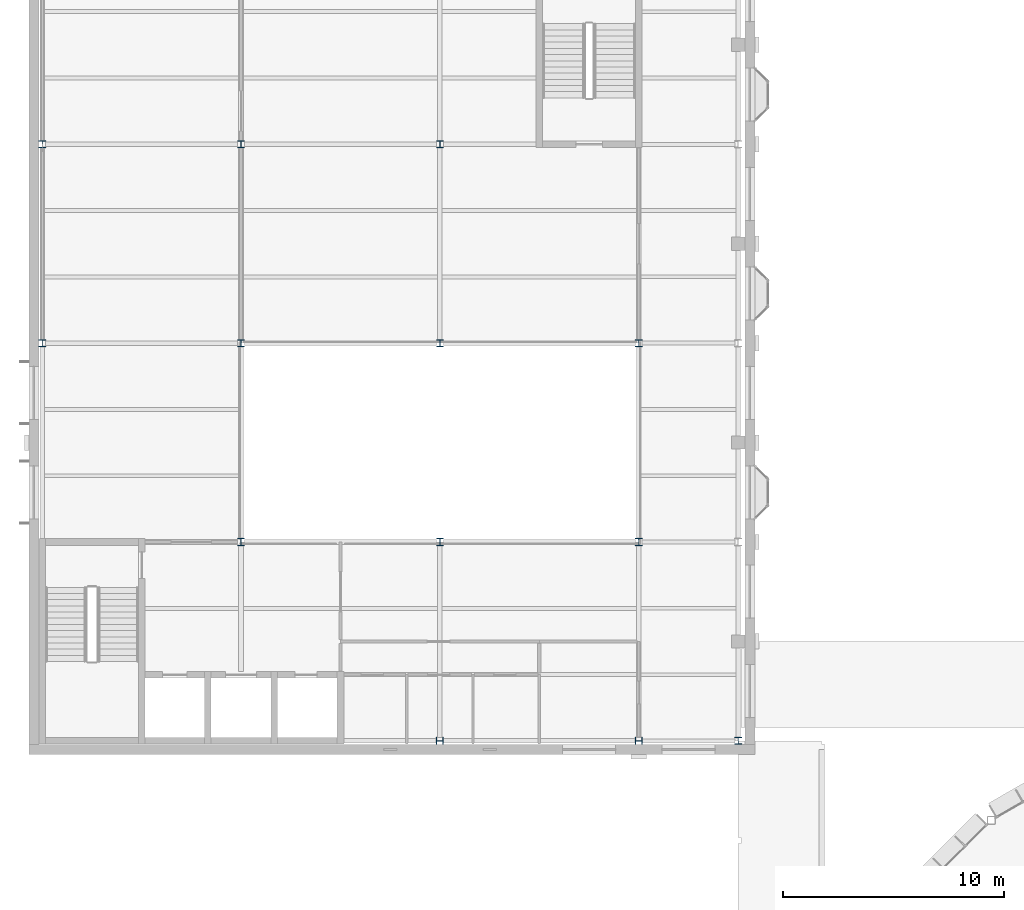
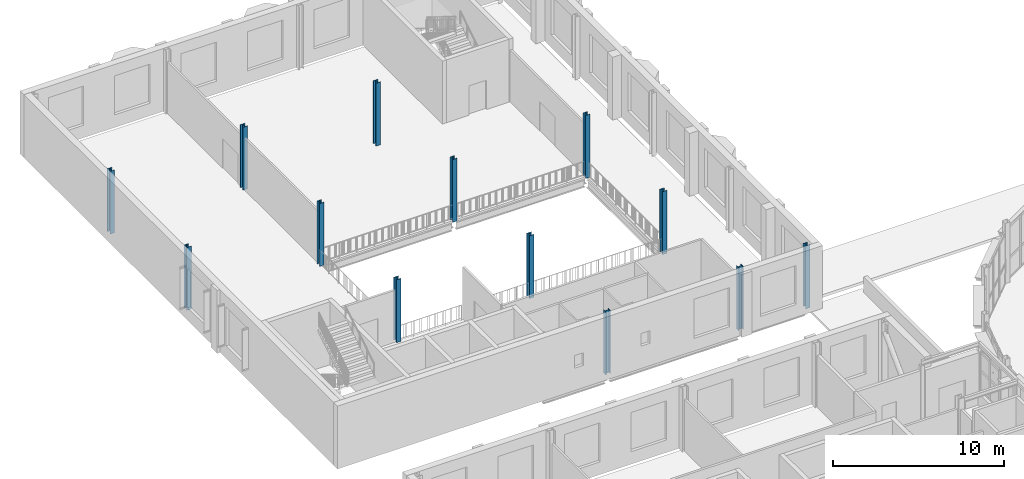
# One storey, part 4 of 74: 13 columns.
"""IFC4 building model written with IfcOpenShell, lengths in metres."""

from ifc_helpers import new_model, si_unit, direction, frame, origin, origin_2d, place, context, subcontext, project, spatial, i_section, extrude, material, material_profile, profile_set, type_object, element, save


model = new_model("IFC4")

# Units and contexts
model_context = context("Model", 3, precision=1e-05, world=origin(), true_north=direction((0.0, 1.0)))
body_context = subcontext(model_context, "Body", "Model", "MODEL_VIEW")
ifc_project = project(units=[si_unit("LENGTHUNIT", "METRE"), si_unit("AREAUNIT", "SQUARE_METRE"), si_unit("VOLUMEUNIT", "CUBIC_METRE"), si_unit("PLANEANGLEUNIT", "RADIAN"), si_unit("MASSUNIT", "GRAM", prefix="KILO")], contexts=[model_context])

# Site, building, storey
site_placement = place(None, origin())
site = spatial("IfcSite", under=ifc_project, at=site_placement, CompositionType="ELEMENT")
building_placement = place(site_placement, origin())
building = spatial("IfcBuilding", under=site, at=building_placement, Name="Hortulan Conservatory and Botanical Research Centre", CompositionType="ELEMENT")
storey_placement = place(building_placement, frame((0.0, 0.0, 6.0)))
storey = spatial("IfcBuildingStorey", under=building, at=storey_placement, Name="L01", CompositionType="ELEMENT", Elevation=6.0)

# Columns
ifc_material = material(Name="Steel Grade 300PLUS (AS/NZS 3679.1, 280 MPa minimum yield)", Category="steel")
ifc_material_profile = material_profile(ifc_material, i_section(OverallWidth=0.30908203125, OverallDepth=0.321044921875, WebThickness=0.013916015625, FlangeThickness=0.021728515625, FilletRadius=0.0166015625, at=origin_2d()), Name="310UC137")
ifc_profile_set = profile_set([ifc_material_profile], Name="Steel Grade 300PLUS (AS/NZS 3679.1, 280 MPa minimum yield)")
column_type = type_object("IfcColumnType", Name="Visitor Centre Column 310UC137", PredefinedType="COLUMN", material=ifc_profile_set)
for number, where, z_axis, x_axis, name in (
    (1, (0.0, 54.0, 0.0), (0.0, 0.0, 1.0), (1.0, 0.0, 0.0), "310UC137 column"),
    (2, (0.0, 63.0, 0.0), (0.0, 0.0, 1.0), (1.0, 0.0, 0.0), "310UC137 column"),
    (3, (9.0, 45.0, 0.0), (0.0, 0.0, 1.0), (1.0, 0.0, 0.0), "310UC137 column"),
    (4, (9.0, 54.0, 0.0), (0.0, 0.0, 1.0), (1.0, 0.0, 0.0), "310UC137 column"),
    (5, (9.0, 63.0, 0.0), (0.0, 0.0, 1.0), (1.0, 0.0, 0.0), "310UC137 column"),
    (6, (18.0, 36.0, 0.0), (0.0, 0.0, 1.0), (0.0, 1.0, 0.0), "310UC137 column"),
    (7, (18.0, 45.0, 0.0), (0.0, 0.0, 1.0), (1.0, 0.0, 0.0), "310UC137 column"),
    (8, (18.0, 54.0, 0.0), (0.0, 0.0, 1.0), (1.0, 0.0, 0.0), "310UC137 column"),
    (9, (18.0, 63.0, 0.0), (0.0, 0.0, 1.0), (1.0, 0.0, 0.0), "310UC137 column"),
    (10, (27.0, 36.0, 0.0), (0.0, 0.0, 1.0), (0.0, 1.0, 0.0), "310UC137 column"),
    (11, (27.0, 45.0, 0.0), (0.0, 0.0, 1.0), (1.0, 0.0, 0.0), "310UC137 column"),
    (12, (27.0, 54.0, 0.0), (0.0, 0.0, 1.0), (1.0, 0.0, 0.0), "310UC137 column"),
    (13, (31.5, 36.0, 0.0), (0.0, 0.0, 1.0), (1.0, 0.0, 0.0), "310UC137 column"),
):
    element("IfcColumn", number, at=place(storey_placement, frame(where, z_axis=z_axis, x_axis=x_axis)), inside=storey, type_object=column_type, Name=name, PredefinedType="COLUMN", context=body_context, shape_type="SweptSolid", body=[
        extrude(i_section(OverallWidth=0.30908203125, OverallDepth=0.321044921875, WebThickness=0.013916015625, FlangeThickness=0.021728515625, FilletRadius=0.0166015625, at=origin_2d()), origin(), (0.0, 0.0, 1.0), 4.5),
    ])

save(model, "model.ifc")
